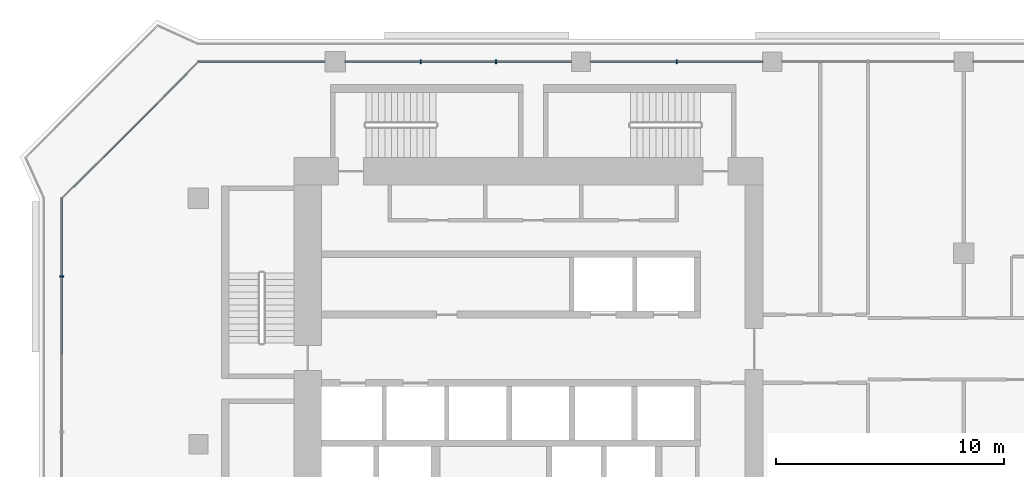
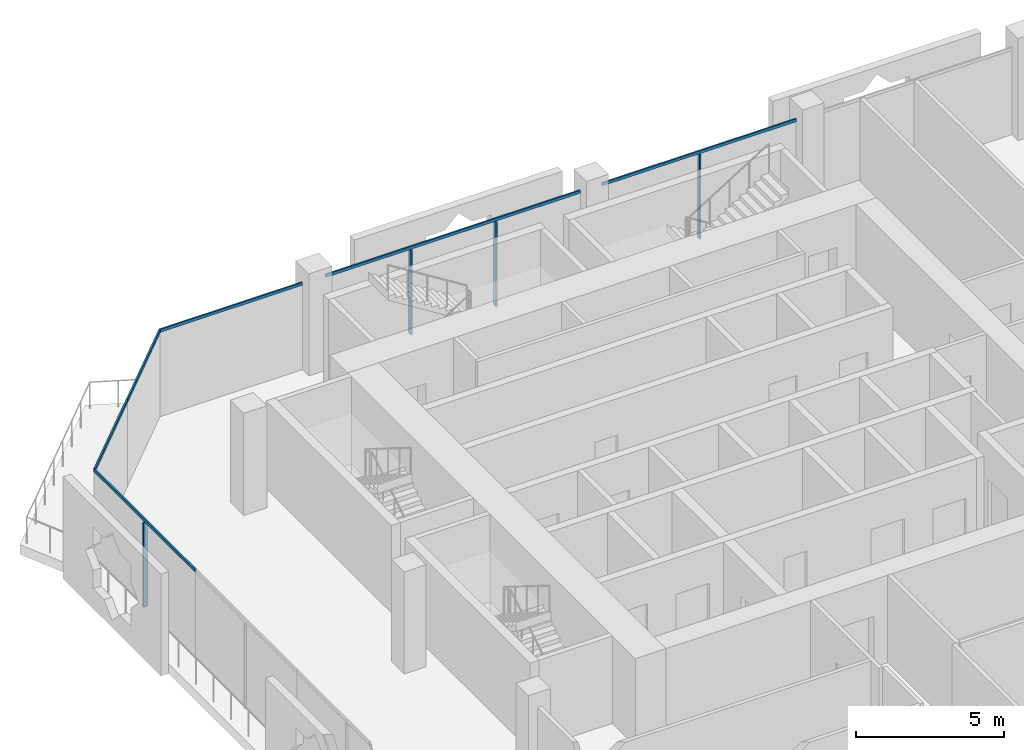
# One storey, part 5 of 21: 10 members, 3 elements without a shape of their own.
"""IFC4 building model written with IfcOpenShell, lengths in metres."""

from ifc_helpers import new_model, si_unit, direction, frame, origin, origin_2d, place, context, subcontext, project, spatial, rectangle, extrude, material, layer, layer_set, material_profile, profile_set, type_object, element, aggregate, save


model = new_model("IFC4")

# Units and contexts
model_context = context("Model", 3, precision=1e-05, world=origin(), true_north=direction((0.0, 1.0)))
body_context = subcontext(model_context, "Body", "Model", "MODEL_VIEW")
ifc_project = project(units=[si_unit("LENGTHUNIT", "METRE"), si_unit("AREAUNIT", "SQUARE_METRE"), si_unit("VOLUMEUNIT", "CUBIC_METRE"), si_unit("PLANEANGLEUNIT", "RADIAN"), si_unit("MASSUNIT", "GRAM", prefix="KILO")], contexts=[model_context])

# Site, building, storey
site_placement = place(None, origin())
site = spatial("IfcSite", under=ifc_project, at=site_placement, CompositionType="ELEMENT")
building_placement = place(site_placement, origin())
building = spatial("IfcBuilding", under=site, at=building_placement, Name="Kawkab Arch Medical Tower", CompositionType="ELEMENT")
storey_placement = place(building_placement, frame((0.0, 0.0, 230.60009765625)))
storey = spatial("IfcBuildingStorey", under=building, at=storey_placement, Name="L53", CompositionType="ELEMENT", Elevation=230.60009765625)

# Curtain wall, member
ifc_material_1 = material(Name="Bronze anodised aluminium curtain wall frame", Category="aluminium")
ifc_layer_1 = layer(ifc_material_1, 0.159912109375)
ifc_layer_set_1 = layer_set([ifc_layer_1], Name="Bronze anodised aluminium curtain wall frame")
curtain_wall_type_1 = type_object("IfcCurtainWallType", Name="CW1 ward curtain wall", PredefinedType="NOTDEFINED", material=ifc_layer_set_1)
placement = place(storey_placement, origin())
curtain_wall_1 = element("IfcCurtainWall", 1, at=placement, inside=storey, type_object=curtain_wall_type_1, Name="CW1 Ward curtain wall R01", PredefinedType="NOTDEFINED")
ifc_material_2 = material(Name="Bronze anodised aluminium curtain wall frame", Category="aluminium")
ifc_material_profile_1 = material_profile(ifc_material_2, rectangle(XDim=0.179931640625, YDim=0.06005859375, at=origin_2d()), Name="AL 60x180")
ifc_profile_set_1 = profile_set([ifc_material_profile_1], Name="Bronze anodised aluminium curtain wall frame")
member_type_1 = type_object("IfcMemberType", Name="CW1 mullion 60 x 180", PredefinedType="MULLION", material=ifc_profile_set_1)
member_1_placement = place(storey_placement, frame((-6.0, -9.419921875, 0.0), z_axis=(0.0, 0.0, 1.0), x_axis=(1.0, 0.0, 0.0)))
member_1 = element("IfcMember", 2, at=member_1_placement, type_object=member_type_1, Name="CW1 mullion 1.1", PredefinedType="MULLION", context=body_context, shape_type="SweptSolid", body=[
    extrude(rectangle(XDim=0.179931640625, YDim=0.06005859375, at=origin_2d()), origin(), (0.0, 0.0, 1.0), 3.47998046875),
])

# Curtain wall, members
curtain_wall_2 = element("IfcCurtainWall", 3, at=placement, inside=storey, type_object=curtain_wall_type_1, Name="CW1 Ward curtain wall R11", PredefinedType="NOTDEFINED")
member_2_placement = place(storey_placement, frame((21.0, 0.0, 0.0), z_axis=(0.0, 0.0, 1.0), x_axis=(0.0, -1.0, 0.0)))
member_2 = element("IfcMember", 4, at=member_2_placement, type_object=member_type_1, Name="CW1 mullion 5.1", PredefinedType="MULLION", context=body_context, shape_type="SweptSolid", body=[
    extrude(rectangle(XDim=0.179931640625, YDim=0.06005859375, at=origin_2d()), origin(), (0.0, 0.0, 1.0), 3.47998046875),
])
member_3_placement = place(storey_placement, frame((13.066650390625, 0.0, 0.0), z_axis=(0.0, 0.0, 1.0), x_axis=(0.0, -1.0, 0.0)))
member_3 = element("IfcMember", 5, at=member_3_placement, type_object=member_type_1, Name="CW1 mullion 6.1", PredefinedType="MULLION", context=body_context, shape_type="SweptSolid", body=[
    extrude(rectangle(XDim=0.179931640625, YDim=0.06005859375, at=origin_2d()), origin(), (0.0, 0.0, 1.0), 3.47998046875),
])
member_4_placement = place(storey_placement, frame((9.75830078125, 0.0, 0.0), z_axis=(0.0, 0.0, 1.0), x_axis=(0.0, -1.0, 0.0)))
member_4 = element("IfcMember", 6, at=member_4_placement, type_object=member_type_1, Name="CW1 mullion 6.2", PredefinedType="MULLION", context=body_context, shape_type="SweptSolid", body=[
    extrude(rectangle(XDim=0.179931640625, YDim=0.06005859375, at=origin_2d()), origin(), (0.0, 0.0, 1.0), 3.47998046875),
])

# Member
ifc_material_3 = material(Name="Bronze anodised aluminium curtain wall frame", Category="aluminium")
ifc_material_profile_2 = material_profile(ifc_material_3, rectangle(XDim=0.06005859375, YDim=0.1201171875, at=origin_2d()), Name="AL 60x120")
ifc_profile_set_2 = profile_set([ifc_material_profile_2], Name="Bronze anodised aluminium curtain wall frame")
member_type_2 = type_object("IfcMemberType", Name="CW1 transom 120 x 60", PredefinedType="USERDEFINED", material=ifc_profile_set_2)
member_5_placement = place(storey_placement, frame((-6.0, -6.0, 3.539794921875), z_axis=(0.0, -1.0, 0.0), x_axis=(1.0, 0.0, 0.0)))
member_5 = element("IfcMember", 7, at=member_5_placement, type_object=member_type_2, Name="CW1 transom 1", ObjectType="TRANSOM", PredefinedType="USERDEFINED", context=body_context, shape_type="SweptSolid", body=[
    extrude(rectangle(XDim=0.06005859375, YDim=0.1201171875, at=origin_2d()), origin(), (0.0, 0.0, 1.0), 6.840087890625),
])

aggregate(curtain_wall_1, [member_5, member_1])

member_6_placement = place(storey_placement, frame((24.77490234375, 0.0, 3.539794921875), z_axis=(-1.0, 0.0, 0.0), x_axis=(0.0, -1.0, 0.0)))
member_6 = element("IfcMember", 8, at=member_6_placement, type_object=member_type_2, Name="CW1 transom 5", ObjectType="TRANSOM", PredefinedType="USERDEFINED", context=body_context, shape_type="SweptSolid", body=[
    extrude(rectangle(XDim=0.06005859375, YDim=0.1201171875, at=origin_2d()), origin(), (0.0, 0.0, 1.0), 7.5498046875),
])

member_7_placement = place(storey_placement, frame((16.375, 0.0, 3.539794921875), z_axis=(-1.0, 0.0, 0.0), x_axis=(0.0, -1.0, 0.0)))
member_7 = element("IfcMember", 9, at=member_7_placement, type_object=member_type_2, Name="CW1 transom 6", ObjectType="TRANSOM", PredefinedType="USERDEFINED", context=body_context, shape_type="SweptSolid", body=[
    extrude(rectangle(XDim=0.06005859375, YDim=0.1201171875, at=origin_2d()), origin(), (0.0, 0.0, 1.0), 9.925048828125),
])

member_8_placement = place(storey_placement, frame((5.550048828125, 0.0, 3.539794921875), z_axis=(-1.0, 0.0, 0.0), x_axis=(0.0, -1.0, 0.0)))
member_8 = element("IfcMember", 10, at=member_8_placement, type_object=member_type_2, Name="CW1 transom 7", ObjectType="TRANSOM", PredefinedType="USERDEFINED", context=body_context, shape_type="SweptSolid", body=[
    extrude(rectangle(XDim=0.06005859375, YDim=0.1201171875, at=origin_2d()), origin(), (0.0, 0.0, 1.0), 5.550048828125),
])

aggregate(curtain_wall_2, [member_6, member_2, member_7, member_3, member_4, member_8])

# Curtain wall, members
ifc_material_4 = material(Name="Bronze anodised aluminium curtain wall frame", Category="aluminium")
ifc_layer_2 = layer(ifc_material_4, 0.159912109375)
ifc_layer_set_2 = layer_set([ifc_layer_2], Name="Bronze anodised aluminium curtain wall frame")
curtain_wall_type_2 = type_object("IfcCurtainWallType", Name="CW2 chamfer curtain wall", PredefinedType="NOTDEFINED", material=ifc_layer_set_2)
curtain_wall_3 = element("IfcCurtainWall", 11, at=placement, inside=storey, type_object=curtain_wall_type_2, Name="CW2 Chamfer curtain wall R12", PredefinedType="NOTDEFINED")
ifc_material_5 = material(Name="Bronze anodised aluminium curtain wall frame", Category="aluminium")
ifc_material_profile_3 = material_profile(ifc_material_5, rectangle(XDim=0.06005859375, YDim=0.139892578125, at=origin_2d()), Name="AL 60x140")
ifc_profile_set_3 = profile_set([ifc_material_profile_3], Name="Bronze anodised aluminium curtain wall frame")
member_type_3 = type_object("IfcMemberType", Name="CW2 transom 140 x 60", PredefinedType="USERDEFINED", material=ifc_profile_set_3)
member_9_placement = place(storey_placement, frame((0.0, 0.0, 3.52978515625), z_axis=(-0.707106781187, -0.707106781187, 0.0), x_axis=(0.707106781187, -0.707106781187, 0.0)))
member_9 = element("IfcMember", 12, at=member_9_placement, type_object=member_type_3, Name="CW2 transom 1", ObjectType="TRANSOM", PredefinedType="USERDEFINED", context=body_context, shape_type="SweptSolid", body=[
    extrude(rectangle(XDim=0.06005859375, YDim=0.139892578125, at=origin_2d()), origin(), (0.0, 0.0, 1.0), 4.24267578125),
])
member_10_placement = place(storey_placement, frame((-3.0, -3.0, 3.52978515625), z_axis=(-0.707106781187, -0.707106781187, 0.0), x_axis=(0.707106781187, -0.707106781187, 0.0)))
member_10 = element("IfcMember", 13, at=member_10_placement, type_object=member_type_3, Name="CW2 transom 2", ObjectType="TRANSOM", PredefinedType="USERDEFINED", context=body_context, shape_type="SweptSolid", body=[
    extrude(rectangle(XDim=0.06005859375, YDim=0.139892578125, at=origin_2d()), origin(), (0.0, 0.0, 1.0), 4.24267578125),
])
aggregate(curtain_wall_3, [member_9, member_10])

save(model, "model.ifc")
